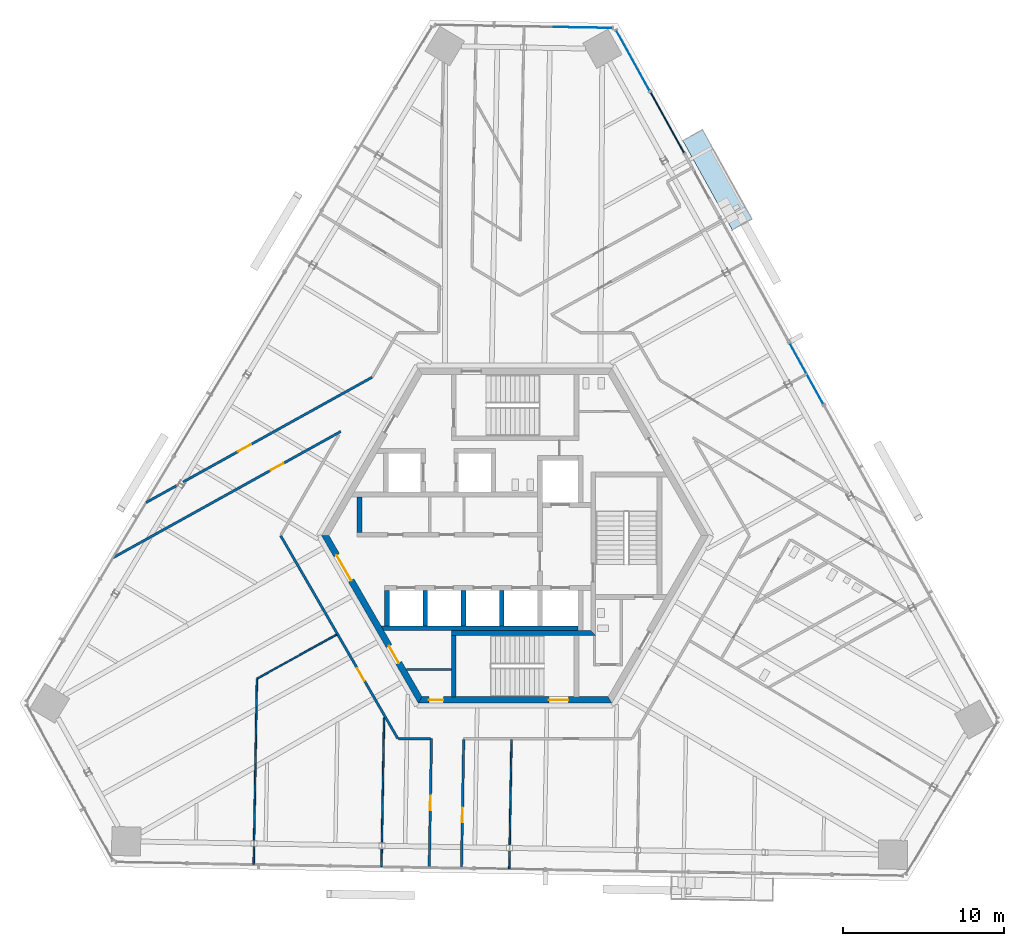
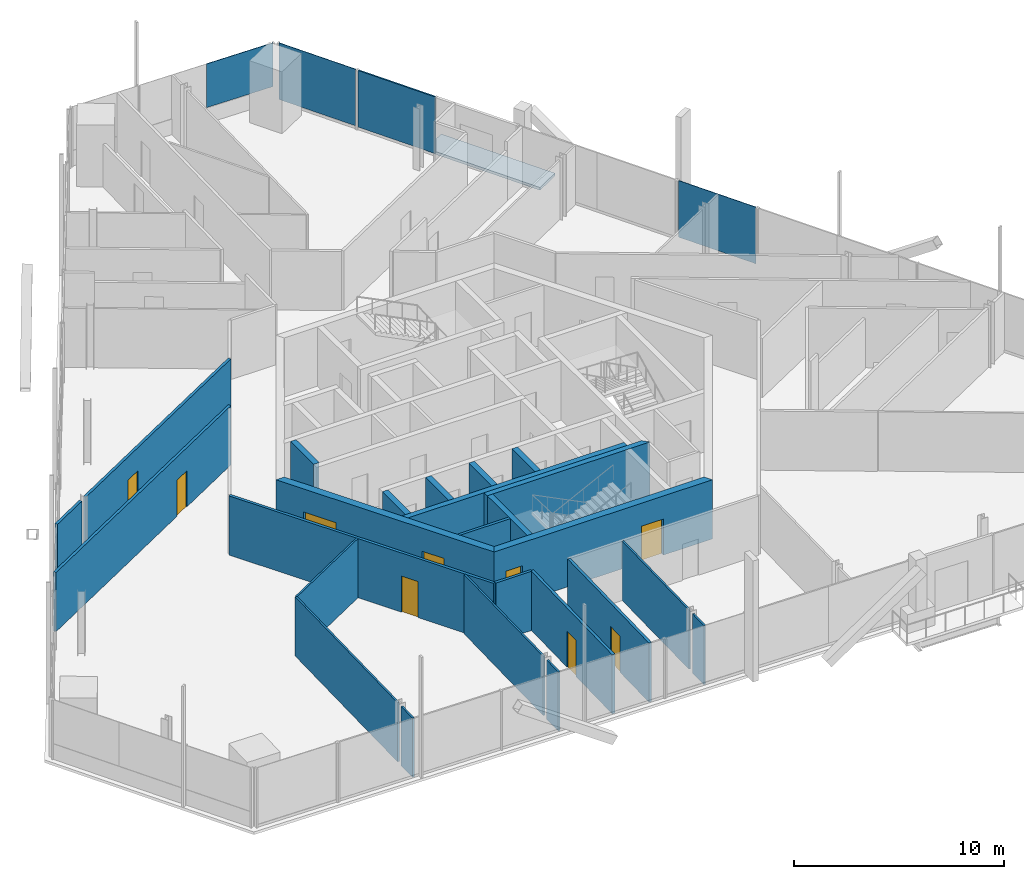
# One storey, part 11 of 21: 25 walls, 9 doors, 4 plates, 1 slab, 9 openings, 4 elements without a shape of their own.
"""IFC4 building model written with IfcOpenShell, lengths in metres."""

from ifc_helpers import new_model, si_unit, direction, frame, frame_2d, origin, origin_2d, place, context, subcontext, project, spatial, polyline, rectangle, outline, extrude, source, transform, mapped, material, layer, layer_set, type_object, element, fill, aggregate, save


model = new_model("IFC4")

# Units and contexts
model_context = context("Model", 3, precision=1e-05, world=origin(), true_north=direction((0.0, 1.0)))
body_context = subcontext(model_context, "Body", "Model", "MODEL_VIEW")
ifc_project = project(units=[si_unit("LENGTHUNIT", "METRE"), si_unit("AREAUNIT", "SQUARE_METRE"), si_unit("VOLUMEUNIT", "CUBIC_METRE"), si_unit("PLANEANGLEUNIT", "RADIAN"), si_unit("MASSUNIT", "GRAM", prefix="KILO")], contexts=[model_context])

# Site, building, storey
site_placement = place(None, origin())
site = spatial("IfcSite", under=ifc_project, at=site_placement, CompositionType="ELEMENT")
building_placement = place(site_placement, origin())
building = spatial("IfcBuilding", under=site, at=building_placement, Name="Triune Harvest Tower", CompositionType="ELEMENT")
storey_placement = place(building_placement, frame((0.0, 0.0, 201.5)))
storey = spatial("IfcBuildingStorey", under=building, at=storey_placement, Name="L52", CompositionType="ELEMENT", Elevation=201.5)

# Slab
ifc_material_1 = material(Name="Concrete 40 MPa", Category="concrete")
ifc_layer_1 = layer(ifc_material_1, 0.159912109375)
ifc_layer_set_1 = layer_set([ifc_layer_1], Name="Concrete 40 MPa")
slab_type = type_object("IfcSlabType", Name="BA-1 balcony slab 160", PredefinedType="FLOOR", material=ifc_layer_set_1)
slab_placement = place(storey_placement, frame((0.0, 0.0, -0.159912109375)))
element("IfcSlab", 1, at=slab_placement, inside=storey, type_object=slab_type, Name="Balcony slab B5-F1 L52.9", PredefinedType="FLOOR", context=body_context, shape_type="SweptSolid", body=[
    extrude(outline(polyline([(13.469970703125, 18.96826171875), (10.40478515625, 24.497802734375), (11.623779296875, 25.173583984375), (14.68896484375, 19.64404296875), (13.469970703125, 18.96826171875)])), origin(), (0.0, 0.0, 1.0), 0.159912109375),
])

# Curtain wall, plate
ifc_material_2 = material(Name="Aluminium bronze anodised", Category="aluminium")
curtain_wall_type_1 = type_object("IfcCurtainWallType", Name="CW-6 Balcony window wall", PredefinedType="NOTDEFINED", material=ifc_material_2)
curtain_wall_1_placement = place(storey_placement, origin())
curtain_wall_1 = element("IfcCurtainWall", 2, at=curtain_wall_1_placement, inside=storey, type_object=curtain_wall_type_1, Name="CW-6 B5-F1 L52 run 2001")
ifc_material_3 = material(Name="Glass", Category="glass")
ifc_layer_2 = layer(ifc_material_3, 0.030029296875)
ifc_layer_set_2 = layer_set([ifc_layer_2], Name="Glass")
plate_type_1 = type_object("IfcPlateType", Name="GL-6 panel 30", PredefinedType="CURTAIN_PANEL", material=ifc_layer_set_2)
plate_1_placement = place(storey_placement, frame((18.071044921875, 10.049072265625, 0.14990234375), z_axis=(0.0, 0.0, 1.0), x_axis=(-0.484801178041, 0.874624386677, 0.0)))
plate_1 = element("IfcPlate", 3, at=plate_1_placement, type_object=plate_type_1, Name="CW-6 panel B5-F1 2001.1", PredefinedType="CURTAIN_PANEL", context=body_context, shape_type="SweptSolid", body=[
    extrude(rectangle(XDim=4.299560546875, YDim=0.030029296875, at=origin_2d()), origin(), (0.0, 0.0, 1.0), 3.2900390625),
])
aggregate(curtain_wall_1, [plate_1])

ifc_material_4 = material(Name="Aluminium bronze anodised", Category="aluminium")
curtain_wall_type_2 = type_object("IfcCurtainWallType", Name="CW-10 Balcony window wall with insulated spandrel infill", PredefinedType="NOTDEFINED", material=ifc_material_4)
curtain_wall_2_placement = place(storey_placement, origin())
curtain_wall_2 = element("IfcCurtainWall", 4, at=curtain_wall_2_placement, inside=storey, type_object=curtain_wall_type_2, Name="CW-10 B5-F1 L52 run 2")
ifc_material_5 = material(Name="Insulated spandrel panel, bronze aluminium pan", Category="aluminium")
ifc_layer_3 = layer(ifc_material_5, 0.080078125)
ifc_layer_set_3 = layer_set([ifc_layer_3], Name="Insulated spandrel panel, bronze aluminium pan")
plate_type_2 = type_object("IfcPlateType", Name="SP-1 insulated spandrel panel 80", PredefinedType="CURTAIN_PANEL", material=ifc_layer_set_3)
shared_shape_1 = source(origin(), body_context, "Body", "SweptSolid", [
    extrude(rectangle(XDim=4.265625, YDim=0.080078125, at=origin_2d()), origin(), (0.0, 0.0, 1.0), 3.2900390625),
])
plate_2_placement = place(storey_placement, frame((9.4453125, 25.610107421875, 0.14990234375), z_axis=(0.0, 0.0, 1.0), x_axis=(-0.48480137696, 0.874624276417, 0.0)))
plate_2 = element("IfcPlate", 5, at=plate_2_placement, type_object=plate_type_2, Name="CW-10 panel B5-F1 2.1", PredefinedType="CURTAIN_PANEL", context=body_context, shape_type="MappedRepresentation", body=[
    mapped(shared_shape_1, transform((0.0, 0.0, 0.0), scale=1.0)),
])
aggregate(curtain_wall_2, [plate_2])

ifc_material_6 = material(Name="Aluminium bronze anodised", Category="aluminium")
curtain_wall_type_3 = type_object("IfcCurtainWallType", Name="CW-1 Tower stick curtain wall", PredefinedType="NOTDEFINED", material=ifc_material_6)
curtain_wall_3_placement = place(storey_placement, origin())
curtain_wall_3 = element("IfcCurtainWall", 6, at=curtain_wall_3_placement, inside=storey, type_object=curtain_wall_type_3, Name="CW-1 B5-F2 L52 run 1")
ifc_material_7 = material(Name="Glass", Category="glass")
ifc_layer_4 = layer(ifc_material_7, 0.031982421875)
ifc_layer_set_4 = layer_set([ifc_layer_4], Name="Glass")
plate_type_3 = type_object("IfcPlateType", Name="GL-1 panel 32", PredefinedType="CURTAIN_PANEL", material=ifc_layer_set_4)
shared_shape_2 = source(origin(), body_context, "Body", "SweptSolid", [
    extrude(rectangle(XDim=3.625, YDim=0.031982421875, at=origin_2d()), origin(), (0.0, 0.0, 1.0), 2.5400390625),
])
plate_3_placement = place(storey_placement, frame((4.213134765625, 31.516357421875, 0.89990234375), z_axis=(0.0, 0.0, 1.0), x_axis=(-0.999847801404, 0.017446318452, 0.0)))
plate_3 = element("IfcPlate", 7, at=plate_3_placement, type_object=plate_type_3, Name="CW-1 panel B5-F2 1.1", PredefinedType="CURTAIN_PANEL", context=body_context, shape_type="MappedRepresentation", body=[
    mapped(shared_shape_2, transform((0.0, 0.0, 0.0), scale=1.0)),
])
aggregate(curtain_wall_3, [plate_3])

curtain_wall_4_placement = place(storey_placement, origin())
curtain_wall_4 = element("IfcCurtainWall", 8, at=curtain_wall_4_placement, inside=storey, type_object=curtain_wall_type_1, Name="CW-6 B5-F1 L52 run 1002")
shared_shape_3 = source(origin(), body_context, "Body", "SweptSolid", [
    extrude(rectangle(XDim=4.265625, YDim=0.030029296875, at=origin_2d()), origin(), (0.0, 0.0, 1.0), 3.2900390625),
])
plate_4_placement = place(storey_placement, frame((7.304443359375, 29.47216796875, 0.14990234375), z_axis=(0.0, 0.0, 1.0), x_axis=(-0.484815589138, 0.874616398502, 0.0)))
plate_4 = element("IfcPlate", 9, at=plate_4_placement, type_object=plate_type_1, Name="CW-6 panel B5-F1 1002.1", PredefinedType="CURTAIN_PANEL", context=body_context, shape_type="MappedRepresentation", body=[
    mapped(shared_shape_3, transform((0.0, 0.0, 0.0), scale=1.0)),
])
aggregate(curtain_wall_4, [plate_4])

# Wall, openings, doors
ifc_material_8 = material(Name="Concrete 70 MPa", Category="concrete")
ifc_layer_5 = layer(ifc_material_8, 0.39990234375)
ifc_layer_set_5 = layer_set([ifc_layer_5], Name="Concrete 70 MPa")
wall_type_1 = type_object("IfcWallType", Name="Core wall 400", PredefinedType="SHEAR", material=ifc_layer_set_5)
shared_shape_4 = source(origin(), body_context, "Body", "SweptSolid", [
    extrude(outline(polyline([(-0.115478515625, -0.199951171875), (11.884521484375, -0.199951171875), (11.653564453125, 0.199951171875), (0.115478515625, 0.199951171875), (-0.115478515625, -0.199951171875)])), origin(), (0.0, 0.0, 1.0), 3.43994140625),
])
wall_1_placement = place(storey_placement, frame((-11.76904296875, 0.0, 0.0), z_axis=(0.0, 0.0, 1.0), x_axis=(0.499996592174, -0.866027371285, 0.0)))
wall_1 = element("IfcWall", 10, at=wall_1_placement, inside=storey, type_object=wall_type_1, Name="Hexagon 3 wall", PredefinedType="SHEAR", context=body_context, shape_type="MappedRepresentation", body=[
    mapped(shared_shape_4, transform((0.0, 0.0, 0.0), scale=1.0)),
])
opening_1_placement = place(wall_1_placement, frame((1.404541015625, 0.0, 0.0)))
opening_1 = element("IfcOpeningElement", 11, at=opening_1_placement, cuts=wall_1, Name="Opening CD-LS", PredefinedType="OPENING", context=body_context, shape_type="SweptSolid", body=[
    extrude(rectangle(XDim=1.800048828125, YDim=2.10009765625, at=frame_2d((0.89990234375, 1.050048828125))), frame((0.0, 0.2099609375, 0.0), z_axis=(0.0, -1.0, 0.0), x_axis=(1.0, 0.0, 0.0)), (0.0, 0.0, 1.0), 0.419921875),
])
opening_2_placement = place(wall_1_placement, frame((7.91455078125, 0.0, 0.0)))
opening_2 = element("IfcOpeningElement", 12, at=opening_2_placement, cuts=wall_1, Name="Opening CD-SWP", PredefinedType="OPENING", context=body_context, shape_type="SweptSolid", body=[
    extrude(rectangle(XDim=1.199951171875, YDim=2.10009765625, at=frame_2d((0.60009765625, 1.050048828125))), frame((0.0, 0.2099609375, 0.0), z_axis=(0.0, -1.0, 0.0), x_axis=(1.0, 0.0, 0.0)), (0.0, 0.0, 1.0), 0.419921875),
])
ifc_material_9 = material(Name="Steel S235", Category="steel")
door_type_1 = type_object("IfcDoorType", Name="Lobby door 1800 FD120", OperationType="DOUBLE_DOOR_DOUBLE_SWING", PredefinedType="DOOR", material=ifc_material_9)
door_1_placement = place(opening_1_placement, frame((1.800048828125, 0.0, 0.0), z_axis=(0.0, 0.0, 1.0), x_axis=(-1.0, 0.0, 0.0)))
door_1 = element("IfcDoor", 13, at=door_1_placement, inside=storey, type_object=door_type_1, Name="Door CD-LS", OperationType="DOUBLE_DOOR_DOUBLE_SWING", OverallHeight=2.10009765625, OverallWidth=1.800048828125, PredefinedType="DOOR", context=body_context, shape_type="SweptSolid", body=[
    extrude(rectangle(XDim=1.800048828125, YDim=2.10009765625, at=frame_2d((0.89990234375, 1.050048828125))), frame((0.0, 0.02490234375, 0.0), z_axis=(0.0, -1.0, 0.0), x_axis=(1.0, 0.0, 0.0)), (0.0, 0.0, 1.0), 0.050048828125),
])
fill(opening_1, door_1)
ifc_material_10 = material(Name="Steel S235", Category="steel")
door_type_2 = type_object("IfcDoorType", Name="Service door 1200 FD120", OperationType="SINGLE_SWING_LEFT", PredefinedType="DOOR", material=ifc_material_10)
door_2_placement = place(opening_2_placement, frame((1.199951171875, 0.0, 0.0), z_axis=(0.0, 0.0, 1.0), x_axis=(-1.0, 0.0, 0.0)))
door_2 = element("IfcDoor", 14, at=door_2_placement, inside=storey, type_object=door_type_2, Name="Door CD-SWP", OperationType="SINGLE_SWING_RIGHT", OverallHeight=2.10009765625, OverallWidth=1.199951171875, PredefinedType="DOOR", context=body_context, shape_type="SweptSolid", body=[
    extrude(rectangle(XDim=1.199951171875, YDim=2.10009765625, at=frame_2d((0.60009765625, 1.050048828125))), frame((0.0, 0.02490234375, 0.0), z_axis=(0.0, -1.0, 0.0), x_axis=(1.0, 0.0, 0.0)), (0.0, 0.0, 1.0), 0.050048828125),
])
fill(opening_2, door_2)

wall_2_placement = place(storey_placement, frame((-5.884521484375, -10.1923828125, 0.0), z_axis=(0.0, 0.0, 1.0), x_axis=(1.0, 0.0, 0.0)))
wall_2 = element("IfcWall", 15, at=wall_2_placement, inside=storey, type_object=wall_type_1, Name="Hexagon 4 wall", PredefinedType="SHEAR", context=body_context, shape_type="MappedRepresentation", body=[
    mapped(shared_shape_4, transform((0.0, 0.0, 0.0), scale=1.0)),
])
opening_3_placement = place(wall_2_placement, frame((7.984619140625, 0.0, 0.0)))
opening_3 = element("IfcOpeningElement", 16, at=opening_3_placement, cuts=wall_2, Name="Opening CD-S2P", PredefinedType="OPENING", context=body_context, shape_type="SweptSolid", body=[
    extrude(rectangle(XDim=1.199951171875, YDim=2.10009765625, at=frame_2d((0.60009765625, 1.050048828125))), frame((0.0, 0.2099609375, 0.0), z_axis=(0.0, -1.0, 0.0), x_axis=(1.0, 0.0, 0.0)), (0.0, 0.0, 1.0), 0.419921875),
])
opening_4_placement = place(wall_2_placement, frame((0.534423828125, 0.0, 0.0)))
opening_4 = element("IfcOpeningElement", 17, at=opening_4_placement, cuts=wall_2, Name="Opening CD-SWS", PredefinedType="OPENING", context=body_context, shape_type="SweptSolid", body=[
    extrude(rectangle(XDim=0.89990234375, YDim=2.10009765625, at=frame_2d((0.449951171875, 1.050048828125))), frame((0.0, 0.2099609375, 0.0), z_axis=(0.0, -1.0, 0.0), x_axis=(1.0, 0.0, 0.0)), (0.0, 0.0, 1.0), 0.419921875),
])
ifc_material_11 = material(Name="Steel S235", Category="steel")
door_type_3 = type_object("IfcDoorType", Name="Riser door 900 FD120", OperationType="SINGLE_SWING_LEFT", PredefinedType="DOOR", material=ifc_material_11)
door_3_placement = place(opening_4_placement, frame((0.89990234375, 0.0, 0.0), z_axis=(0.0, 0.0, 1.0), x_axis=(-1.0, 0.0, 0.0)))
door_3 = element("IfcDoor", 18, at=door_3_placement, inside=storey, type_object=door_type_3, Name="Door CD-SWS", OperationType="SINGLE_SWING_RIGHT", OverallHeight=2.10009765625, OverallWidth=0.89990234375, PredefinedType="DOOR", context=body_context, shape_type="SweptSolid", body=[
    extrude(rectangle(XDim=0.89990234375, YDim=2.10009765625, at=frame_2d((0.449951171875, 1.050048828125))), frame((0.0, 0.02490234375, 0.0), z_axis=(0.0, -1.0, 0.0), x_axis=(1.0, 0.0, 0.0)), (0.0, 0.0, 1.0), 0.050048828125),
])
fill(opening_4, door_3)
ifc_material_12 = material(Name="Steel S235", Category="steel")
door_type_4 = type_object("IfcDoorType", Name="Stair door 1200 FD120", OperationType="SINGLE_SWING_LEFT", PredefinedType="DOOR", material=ifc_material_12)
door_4_placement = place(opening_3_placement, frame((1.199951171875, 0.0, 0.0), z_axis=(0.0, 0.0, 1.0), x_axis=(-1.0, 0.0, 0.0)))
door_4 = element("IfcDoor", 19, at=door_4_placement, inside=storey, type_object=door_type_4, Name="Door CD-S2P", OperationType="SINGLE_SWING_RIGHT", OverallHeight=2.10009765625, OverallWidth=1.199951171875, PredefinedType="DOOR", context=body_context, shape_type="SweptSolid", body=[
    extrude(rectangle(XDim=1.199951171875, YDim=2.10009765625, at=frame_2d((0.60009765625, 1.050048828125))), frame((0.0, 0.02490234375, 0.0), z_axis=(0.0, -1.0, 0.0), x_axis=(1.0, 0.0, 0.0)), (0.0, 0.0, 1.0), 0.050048828125),
])
fill(opening_3, door_4)

# Walls
ifc_material_13 = material(Name="Concrete 70 MPa", Category="concrete")
ifc_layer_6 = layer(ifc_material_13, 0.300048828125)
ifc_layer_set_6 = layer_set([ifc_layer_6], Name="Concrete 70 MPa")
wall_type_2 = type_object("IfcWallType", Name="Core wall 300", PredefinedType="SHEAR", material=ifc_layer_set_6)
shared_shape_5 = source(origin(), body_context, "Body", "SweptSolid", [
    extrude(outline(polyline([(12.0, -0.14990234375), (-0.039794921875, -0.14990234375), (-0.212890625, 0.14990234375), (12.0, 0.14990234375), (12.0, -0.14990234375)])), origin(), (0.0, 0.0, 1.0), 3.43994140625),
])
wall_3_placement = place(storey_placement, frame((-8.10009765625, -5.739990234375, 0.0), z_axis=(0.0, 0.0, 1.0), x_axis=(1.0, 0.0, 0.0)))
element("IfcWall", 20, at=wall_3_placement, inside=storey, type_object=wall_type_2, Name="South back wall", PredefinedType="SHEAR", context=body_context, shape_type="MappedRepresentation", body=[
    mapped(shared_shape_5, transform((0.0, 0.0, 0.0), scale=1.0)),
])
shared_shape_6 = source(origin(), body_context, "Body", "SweptSolid", [
    extrude(rectangle(XDim=2.2001953125, YDim=0.300048828125, at=frame_2d((1.10009765625, 0.0))), origin(), (0.0, 0.0, 1.0), 3.43994140625),
])
for number, where, z_axis, x_axis, name in (
    (21, (-7.949951171875, -5.590087890625, 0.0), (0.0, 0.0, 1.0), (0.0, 1.0, 0.0), "South end west wall"),
    (22, (-5.574951171875, -5.590087890625, 0.0), (0.0, 0.0, 1.0), (0.0, 1.0, 0.0), "South cross 1 wall"),
    (23, (-3.199951171875, -5.590087890625, 0.0), (0.0, 0.0, 1.0), (0.0, 1.0, 0.0), "South cross 2 wall"),
    (24, (-0.824951171875, -5.590087890625, 0.0), (0.0, 0.0, 1.0), (0.0, 1.0, 0.0), "South cross 3 wall"),
):
    element("IfcWall", number, at=place(storey_placement, frame(where, z_axis=z_axis, x_axis=x_axis)), inside=storey, type_object=wall_type_2, Name=name, PredefinedType="SHEAR", context=body_context, shape_type="MappedRepresentation", body=[
        mapped(shared_shape_6, transform((0.0, 0.0, 0.0), scale=1.0)),
    ])
shared_shape_7 = source(origin(), body_context, "Body", "SweptSolid", [
    extrude(rectangle(XDim=2.199951171875, YDim=0.300048828125, at=frame_2d((1.10009765625, 0.0))), origin(), (0.0, 0.0, 1.0), 3.43994140625),
])
wall_4_placement = place(storey_placement, frame((-9.64990234375, 0.2099609375, 0.0), z_axis=(0.0, 0.0, 1.0), x_axis=(0.0, 1.0, 0.0)))
element("IfcWall", 25, at=wall_4_placement, inside=storey, type_object=wall_type_2, Name="North end west wall", PredefinedType="SHEAR", context=body_context, shape_type="MappedRepresentation", body=[
    mapped(shared_shape_7, transform((0.0, 0.0, 0.0), scale=1.0)),
])
shared_shape_8 = source(origin(), body_context, "Body", "SweptSolid", [
    extrude(outline(polyline([(0.0, -0.14990234375), (8.949951171875, -0.14990234375), (8.64990234375, 0.14990234375), (0.0, 0.14990234375), (0.0, -0.14990234375)])), origin(), (0.0, 0.0, 1.0), 3.43994140625),
])
wall_5_placement = place(storey_placement, frame((-3.949951171875, -6.0400390625, 0.0), z_axis=(0.0, 0.0, 1.0), x_axis=(1.0, 0.0, 0.0)))
element("IfcWall", 26, at=wall_5_placement, inside=storey, type_object=wall_type_2, Name="Stair s north wall", PredefinedType="SHEAR", context=body_context, shape_type="MappedRepresentation", body=[
    mapped(shared_shape_8, transform((0.0, 0.0, 0.0), scale=1.0)),
])
shared_shape_9 = source(origin(), body_context, "Body", "SweptSolid", [
    extrude(outline(polyline([(3.800048828125, -0.14990234375), (-0.00439453125, -0.14990234375), (-0.00439453125, 0.14990234375), (3.800048828125, 0.14990234375), (3.800048828125, -0.14990234375)])), origin(), (0.0, 0.0, 1.0), 3.43994140625),
])
wall_6_placement = place(storey_placement, frame((-3.800048828125, -9.989990234375, 0.0), z_axis=(0.0, 0.0, 1.0), x_axis=(0.0, 1.0, 0.0)))
element("IfcWall", 27, at=wall_6_placement, inside=storey, type_object=wall_type_2, Name="Stair s west wall", PredefinedType="SHEAR", context=body_context, shape_type="MappedRepresentation", body=[
    mapped(shared_shape_9, transform((0.0, 0.0, 0.0), scale=1.0)),
])
ifc_material_14 = material(Name="Concrete masonry unit", Category="masonry")
ifc_layer_7 = layer(ifc_material_14, 0.14990234375)
ifc_layer_set_7 = layer_set([ifc_layer_7], Name="Concrete masonry unit")
wall_type_3 = type_object("IfcWallType", Name="Block partition 150", PredefinedType="PARTITIONING", material=ifc_layer_set_7)
shared_shape_10 = source(origin(), body_context, "Body", "SweptSolid", [
    extrude(rectangle(XDim=2.777099609375, YDim=0.14990234375, at=frame_2d((1.388671875, 0.0))), origin(), (0.0, 0.0, 1.0), 3.43994140625),
])
wall_7_placement = place(storey_placement, frame((-6.72705078125, -8.300048828125, 0.0), z_axis=(0.0, 0.0, 1.0), x_axis=(1.0, 0.0, 0.0)))
element("IfcWall", 28, at=wall_7_placement, inside=storey, type_object=wall_type_3, Name="Sw part wall", PredefinedType="PARTITIONING", context=body_context, shape_type="MappedRepresentation", body=[
    mapped(shared_shape_10, transform((0.0, 0.0, 0.0), scale=1.0)),
])
ifc_material_15 = material(Name="Gypsum board on steel studs", Category="steel")
ifc_layer_8 = layer(ifc_material_15, 0.10009765625)
ifc_layer_set_8 = layer_set([ifc_layer_8], Name="Gypsum board on steel studs")
wall_type_4 = type_object("IfcWallType", Name="Partition 100 mm", PredefinedType="PARTITIONING", material=ifc_layer_set_8)
shared_shape_11 = source(origin(), body_context, "Body", "SweptSolid", [
    extrude(rectangle(XDim=1.13037109375, YDim=0.10009765625, at=frame_2d((0.565185546875, 0.0))), origin(), (0.0, 0.0, 1.0), 3.43994140625),
])
wall_8_placement = place(storey_placement, frame((-0.360595703125, -20.673828125, 0.0), z_axis=(0.0, 0.0, 1.0), x_axis=(0.017279770035, 0.999850693628, 0.0)))
element("IfcWall", 29, at=wall_8_placement, inside=storey, type_object=wall_type_4, Name="Partition L52 048", PredefinedType="PARTITIONING", context=body_context, shape_type="MappedRepresentation", body=[
    mapped(shared_shape_11, transform((0.0, 0.0, 0.0), scale=1.0)),
])
shared_shape_12 = source(origin(), body_context, "Body", "SweptSolid", [
    extrude(rectangle(XDim=1.130615234375, YDim=0.10009765625, at=frame_2d((0.5654296875, 0.0))), origin(), (0.0, 0.0, 1.0), 3.43994140625),
])
for number, where, z_axis, x_axis, name in (
    (30, (-8.286865234375, -20.53564453125, 0.0), (0.0, 0.0, 1.0), (0.017491923839, 0.999847004596, 0.0), "Partition L52 057"),
    (31, (-16.212890625, -20.397216796875, 0.0), (0.0, 0.0, 1.0), (0.017491923839, 0.999847004596, 0.0), "Partition L52 059"),
):
    element("IfcWall", number, at=place(storey_placement, frame(where, z_axis=z_axis, x_axis=x_axis)), inside=storey, type_object=wall_type_4, Name=name, PredefinedType="PARTITIONING", context=body_context, shape_type="MappedRepresentation", body=[
        mapped(shared_shape_12, transform((0.0, 0.0, 0.0), scale=1.0)),
    ])
shared_shape_13 = source(origin(), body_context, "Body", "SweptSolid", [
    extrude(rectangle(XDim=10.049560546875, YDim=0.10009765625, at=frame_2d((5.02490234375, 0.0))), origin(), (0.0, 0.0, 1.0), 3.43994140625),
])
wall_9_placement = place(storey_placement, frame((-16.187255859375, -18.923583984375, 0.0), z_axis=(0.0, 0.0, 1.0), x_axis=(0.017467024061, 0.999847439898, 0.0)))
element("IfcWall", 32, at=wall_9_placement, inside=storey, type_object=wall_type_4, Name="Partition L52 060", PredefinedType="PARTITIONING", context=body_context, shape_type="MappedRepresentation", body=[
    mapped(shared_shape_13, transform((0.0, 0.0, 0.0), scale=1.0)),
])

# Wall, opening, door
ifc_material_16 = material(Name="Gypsum board on steel studs", Category="steel")
ifc_layer_9 = layer(ifc_material_16, 0.14990234375)
ifc_layer_set_9 = layer_set([ifc_layer_9], Name="Gypsum board on steel studs")
wall_type_5 = type_object("IfcWallType", Name="Fire Partition 150 mm", PredefinedType="PARTITIONING", material=ifc_layer_set_9)
shared_shape_14 = source(origin(), body_context, "Body", "SweptSolid", [
    extrude(rectangle(XDim=14.540283203125, YDim=0.14990234375, at=frame_2d((7.27001953125, 0.0))), origin(), (0.0, 0.0, 1.0), 3.43994140625),
])
wall_10_placement = place(storey_placement, frame((-14.540283203125, 0.0, 0.0), z_axis=(0.0, 0.0, 1.0), x_axis=(0.499992794462, -0.866029563864, 0.0)))
wall_10 = element("IfcWall", 33, at=wall_10_placement, inside=storey, type_object=wall_type_5, Name="Partition L52 003", PredefinedType="PARTITIONING", context=body_context, shape_type="MappedRepresentation", body=[
    mapped(shared_shape_14, transform((0.0, 0.0, 0.0), scale=1.0)),
])
opening_5_placement = place(wall_10_placement, frame((9.50048828125, 0.0, 0.0)))
opening_5 = element("IfcOpeningElement", 34, at=opening_5_placement, cuts=wall_10, Name="Opening L52-017", PredefinedType="OPENING", context=body_context, shape_type="SweptSolid", body=[
    extrude(rectangle(XDim=0.89990234375, YDim=2.10009765625, at=frame_2d((0.449951171875, 1.050048828125))), frame((0.0, 0.0849609375, 0.0), z_axis=(0.0, -1.0, 0.0), x_axis=(1.0, 0.0, 0.0)), (0.0, 0.0, 1.0), 0.169921875),
])
ifc_material_17 = material(Name="Timber and steel door set", Category="steel")
door_type_5 = type_object("IfcDoorType", Name="Single leaf door FD30 left hand 900 x 2100", OperationType="SINGLE_SWING_LEFT", PredefinedType="DOOR", material=ifc_material_17)
door_5_placement = place(opening_5_placement, origin())
door_5 = element("IfcDoor", 35, at=door_5_placement, inside=storey, type_object=door_type_5, Name="Door L52-017 Project Room 52.17", OperationType="SINGLE_SWING_LEFT", OverallHeight=2.10009765625, OverallWidth=0.89990234375, PredefinedType="DOOR", context=body_context, shape_type="SweptSolid", body=[
    extrude(rectangle(XDim=0.89990234375, YDim=2.10009765625, at=frame_2d((0.449951171875, 1.050048828125))), frame((0.0, 0.02490234375, 0.0), z_axis=(0.0, -1.0, 0.0), x_axis=(1.0, 0.0, 0.0)), (0.0, 0.0, 1.0), 0.050048828125),
])
fill(opening_5, door_5)

# Walls
shared_shape_15 = source(origin(), body_context, "Body", "SweptSolid", [
    extrude(rectangle(XDim=2.260986328125, YDim=0.14990234375, at=frame_2d((1.13037109375, 0.0))), origin(), (0.0, 0.0, 1.0), 3.43994140625),
])
wall_11_placement = place(storey_placement, frame((-22.890625, 2.05029296875, 0.0), z_axis=(0.0, 0.0, 1.0), x_axis=(0.874615280468, 0.484817606087, 0.0)))
element("IfcWall", 36, at=wall_11_placement, inside=storey, type_object=wall_type_5, Name="Partition L52 038", PredefinedType="PARTITIONING", context=body_context, shape_type="MappedRepresentation", body=[
    mapped(shared_shape_15, transform((0.0, 0.0, 0.0), scale=1.0)),
])
shared_shape_16 = source(origin(), body_context, "Body", "SweptSolid", [
    extrude(rectangle(XDim=1.97607421875, YDim=0.14990234375, at=frame_2d((0.988037109375, 0.0))), origin(), (0.0, 0.0, 1.0), 3.43994140625),
])
wall_12_placement = place(storey_placement, frame((-7.22021484375, -12.59228515625, 0.0), z_axis=(0.0, 0.0, 1.0), x_axis=(1.0, 0.0, 0.0)))
element("IfcWall", 37, at=wall_12_placement, inside=storey, type_object=wall_type_5, Name="Partition L52 022", PredefinedType="PARTITIONING", context=body_context, shape_type="MappedRepresentation", body=[
    mapped(shared_shape_16, transform((0.0, 0.0, 0.0), scale=1.0)),
])
shared_shape_17 = source(origin(), body_context, "Body", "SweptSolid", [
    extrude(rectangle(XDim=5.6328125, YDim=0.10009765625, at=frame_2d((2.81640625, 0.0))), origin(), (0.0, 0.0, 1.0), 3.43994140625),
])
wall_13_placement = place(storey_placement, frame((-15.994384765625, -8.86572265625, 0.0), z_axis=(0.0, 0.0, 1.0), x_axis=(0.874637287993, 0.48477790219, 0.0)))
element("IfcWall", 38, at=wall_13_placement, inside=storey, type_object=wall_type_4, Name="Partition L52 031", PredefinedType="PARTITIONING", context=body_context, shape_type="MappedRepresentation", body=[
    mapped(shared_shape_17, transform((0.0, 0.0, 0.0), scale=1.0)),
])

# Wall, opening, door
shared_shape_18 = source(origin(), body_context, "Body", "SweptSolid", [
    extrude(rectangle(XDim=16.166748046875, YDim=0.14990234375, at=frame_2d((8.08349609375, 0.0))), origin(), (0.0, 0.0, 1.0), 3.43994140625),
])
wall_14_placement = place(storey_placement, frame((-24.95068359375, -1.37841796875, 0.0), z_axis=(0.0, 0.0, 1.0), x_axis=(0.87461562831, 0.484816978577, 0.0)))
wall_14 = element("IfcWall", 39, at=wall_14_placement, inside=storey, type_object=wall_type_5, Name="Partition L52 036", PredefinedType="PARTITIONING", context=body_context, shape_type="MappedRepresentation", body=[
    mapped(shared_shape_18, transform((0.0, 0.0, 0.0), scale=1.0)),
])
opening_6_placement = place(wall_14_placement, frame((11.19921875, 0.0, 0.0)))
opening_6 = element("IfcOpeningElement", 40, at=opening_6_placement, cuts=wall_14, Name="Opening L52-015", PredefinedType="OPENING", context=body_context, shape_type="SweptSolid", body=[
    extrude(rectangle(XDim=0.89990234375, YDim=2.10009765625, at=frame_2d((0.449951171875, 1.050048828125))), frame((0.0, 0.0849609375, 0.0), z_axis=(0.0, -1.0, 0.0), x_axis=(1.0, 0.0, 0.0)), (0.0, 0.0, 1.0), 0.169921875),
])
door_6_placement = place(opening_6_placement, origin())
door_6 = element("IfcDoor", 41, at=door_6_placement, inside=storey, type_object=door_type_5, Name="Door L52-015 Open Office 52.15", OperationType="SINGLE_SWING_LEFT", OverallHeight=2.10009765625, OverallWidth=0.89990234375, PredefinedType="DOOR", context=body_context, shape_type="SweptSolid", body=[
    extrude(rectangle(XDim=0.89990234375, YDim=2.10009765625, at=frame_2d((0.449951171875, 1.050048828125))), frame((0.0, 0.02490234375, 0.0), z_axis=(0.0, -1.0, 0.0), x_axis=(1.0, 0.0, 0.0)), (0.0, 0.0, 1.0), 0.050048828125),
])
fill(opening_6, door_6)

shared_shape_19 = source(origin(), body_context, "Body", "SweptSolid", [
    extrude(rectangle(XDim=13.3984375, YDim=0.14990234375, at=frame_2d((6.69921875, 0.0))), origin(), (0.0, 0.0, 1.0), 3.43994140625),
])
wall_15_placement = place(storey_placement, frame((-20.587890625, 3.326904296875, 0.0), z_axis=(0.0, 0.0, 1.0), x_axis=(0.874621871771, 0.484805715126, 0.0)))
wall_15 = element("IfcWall", 42, at=wall_15_placement, inside=storey, type_object=wall_type_5, Name="Partition L52 039", PredefinedType="PARTITIONING", context=body_context, shape_type="MappedRepresentation", body=[
    mapped(shared_shape_19, transform((0.0, 0.0, 0.0), scale=1.0)),
])
opening_7_placement = place(wall_15_placement, frame((3.901123046875, 0.0, 0.0)))
opening_7 = element("IfcOpeningElement", 43, at=opening_7_placement, cuts=wall_15, Name="Opening L52-016", PredefinedType="OPENING", context=body_context, shape_type="SweptSolid", body=[
    extrude(rectangle(XDim=0.89990234375, YDim=2.10009765625, at=frame_2d((0.449951171875, 1.050048828125))), frame((0.0, 0.0849609375, 0.0), z_axis=(0.0, -1.0, 0.0), x_axis=(1.0, 0.0, 0.0)), (0.0, 0.0, 1.0), 0.169921875),
])
door_7_placement = place(opening_7_placement, origin())
door_7 = element("IfcDoor", 44, at=door_7_placement, inside=storey, type_object=door_type_5, Name="Door L52-016 Dry Store Room 52.16", OperationType="SINGLE_SWING_LEFT", OverallHeight=2.10009765625, OverallWidth=0.89990234375, PredefinedType="DOOR", context=body_context, shape_type="SweptSolid", body=[
    extrude(rectangle(XDim=0.89990234375, YDim=2.10009765625, at=frame_2d((0.449951171875, 1.050048828125))), frame((0.0, 0.02490234375, 0.0), z_axis=(0.0, -1.0, 0.0), x_axis=(1.0, 0.0, 0.0)), (0.0, 0.0, 1.0), 0.050048828125),
])
fill(opening_7, door_7)

# Wall
shared_shape_20 = source(origin(), body_context, "Body", "SweptSolid", [
    extrude(rectangle(XDim=6.549072265625, YDim=0.10009765625, at=frame_2d((3.2744140625, 0.0))), origin(), (0.0, 0.0, 1.0), 3.43994140625),
])
wall_16_placement = place(storey_placement, frame((-0.3349609375, -19.200439453125, 0.0), z_axis=(0.0, 0.0, 1.0), x_axis=(0.017446358105, 0.999847800712, 0.0)))
element("IfcWall", 45, at=wall_16_placement, inside=storey, type_object=wall_type_4, Name="Partition L52 049", PredefinedType="PARTITIONING", context=body_context, shape_type="MappedRepresentation", body=[
    mapped(shared_shape_20, transform((0.0, 0.0, 0.0), scale=1.0)),
])

# Wall, opening, door
shared_shape_21 = source(origin(), body_context, "Body", "SweptSolid", [
    extrude(rectangle(XDim=7.981201171875, YDim=0.14990234375, at=frame_2d((3.99072265625, 0.0))), origin(), (0.0, 0.0, 1.0), 3.43994140625),
])
wall_17_placement = place(storey_placement, frame((-3.32421875, -20.622314453125, 0.0), z_axis=(0.0, 0.0, 1.0), x_axis=(0.017466587913, 0.999847447517, 0.0)))
wall_17 = element("IfcWall", 46, at=wall_17_placement, inside=storey, type_object=wall_type_5, Name="Partition L52 052", PredefinedType="PARTITIONING", context=body_context, shape_type="MappedRepresentation", body=[
    mapped(shared_shape_21, transform((0.0, 0.0, 0.0), scale=1.0)),
])
opening_8_placement = place(wall_17_placement, frame((2.85009765625, 0.0, 0.0)))
opening_8 = element("IfcOpeningElement", 47, at=opening_8_placement, cuts=wall_17, Name="Opening L52-019", PredefinedType="OPENING", context=body_context, shape_type="SweptSolid", body=[
    extrude(rectangle(XDim=0.89990234375, YDim=2.10009765625, at=frame_2d((0.449951171875, 1.050048828125))), frame((0.0, 0.0849609375, 0.0), z_axis=(0.0, -1.0, 0.0), x_axis=(1.0, 0.0, 0.0)), (0.0, 0.0, 1.0), 0.169921875),
])
ifc_material_18 = material(Name="Timber and steel door set", Category="steel")
door_type_6 = type_object("IfcDoorType", Name="Single leaf door FD30 right hand 900 x 2100", OperationType="SINGLE_SWING_RIGHT", PredefinedType="DOOR", material=ifc_material_18)
door_8_placement = place(opening_8_placement, origin())
door_8 = element("IfcDoor", 48, at=door_8_placement, inside=storey, type_object=door_type_6, Name="Door L52-019 Meeting Room 52.19", OperationType="SINGLE_SWING_RIGHT", OverallHeight=2.10009765625, OverallWidth=0.89990234375, PredefinedType="DOOR", context=body_context, shape_type="SweptSolid", body=[
    extrude(rectangle(XDim=0.89990234375, YDim=2.10009765625, at=frame_2d((0.449951171875, 1.050048828125))), frame((0.0, 0.02490234375, 0.0), z_axis=(0.0, -1.0, 0.0), x_axis=(1.0, 0.0, 0.0)), (0.0, 0.0, 1.0), 0.050048828125),
])
fill(opening_8, door_8)

shared_shape_22 = source(origin(), body_context, "Body", "SweptSolid", [
    extrude(rectangle(XDim=7.996337890625, YDim=0.14990234375, at=frame_2d((3.998046875, 0.0))), origin(), (0.0, 0.0, 1.0), 3.43994140625),
])
wall_18_placement = place(storey_placement, frame((-5.32373046875, -20.58740234375, 0.0), z_axis=(0.0, 0.0, 1.0), x_axis=(0.017464051708, 0.99984749182, 0.0)))
wall_18 = element("IfcWall", 49, at=wall_18_placement, inside=storey, type_object=wall_type_5, Name="Partition L52 054", PredefinedType="PARTITIONING", context=body_context, shape_type="MappedRepresentation", body=[
    mapped(shared_shape_22, transform((0.0, 0.0, 0.0), scale=1.0)),
])
opening_9_placement = place(wall_18_placement, frame((3.546142578125, 0.0, 0.0)))
opening_9 = element("IfcOpeningElement", 50, at=opening_9_placement, cuts=wall_18, Name="Opening L52-018", PredefinedType="OPENING", context=body_context, shape_type="SweptSolid", body=[
    extrude(rectangle(XDim=0.89990234375, YDim=2.10009765625, at=frame_2d((0.449951171875, 1.050048828125))), frame((0.0, 0.0849609375, 0.0), z_axis=(0.0, -1.0, 0.0), x_axis=(1.0, 0.0, 0.0)), (0.0, 0.0, 1.0), 0.169921875),
])
door_9_placement = place(opening_9_placement, origin())
door_9 = element("IfcDoor", 51, at=door_9_placement, inside=storey, type_object=door_type_5, Name="Door L52-018 Office 52.18", OperationType="SINGLE_SWING_LEFT", OverallHeight=2.10009765625, OverallWidth=0.89990234375, PredefinedType="DOOR", context=body_context, shape_type="SweptSolid", body=[
    extrude(rectangle(XDim=0.89990234375, YDim=2.10009765625, at=frame_2d((0.449951171875, 1.050048828125))), frame((0.0, 0.02490234375, 0.0), z_axis=(0.0, -1.0, 0.0), x_axis=(1.0, 0.0, 0.0)), (0.0, 0.0, 1.0), 0.050048828125),
])
fill(opening_9, door_9)

# Wall
shared_shape_23 = source(origin(), body_context, "Body", "SweptSolid", [
    extrude(rectangle(XDim=7.75732421875, YDim=0.10009765625, at=frame_2d((3.878662109375, 0.0))), origin(), (0.0, 0.0, 1.0), 3.43994140625),
])
wall_19_placement = place(storey_placement, frame((-8.26123046875, -19.06201171875, 0.0), z_axis=(0.0, 0.0, 1.0), x_axis=(0.0174671953, 0.999847436906, 0.0)))
element("IfcWall", 52, at=wall_19_placement, inside=storey, type_object=wall_type_4, Name="Partition L52 058", PredefinedType="PARTITIONING", context=body_context, shape_type="MappedRepresentation", body=[
    mapped(shared_shape_23, transform((0.0, 0.0, 0.0), scale=1.0)),
])

save(model, "model.ifc")
